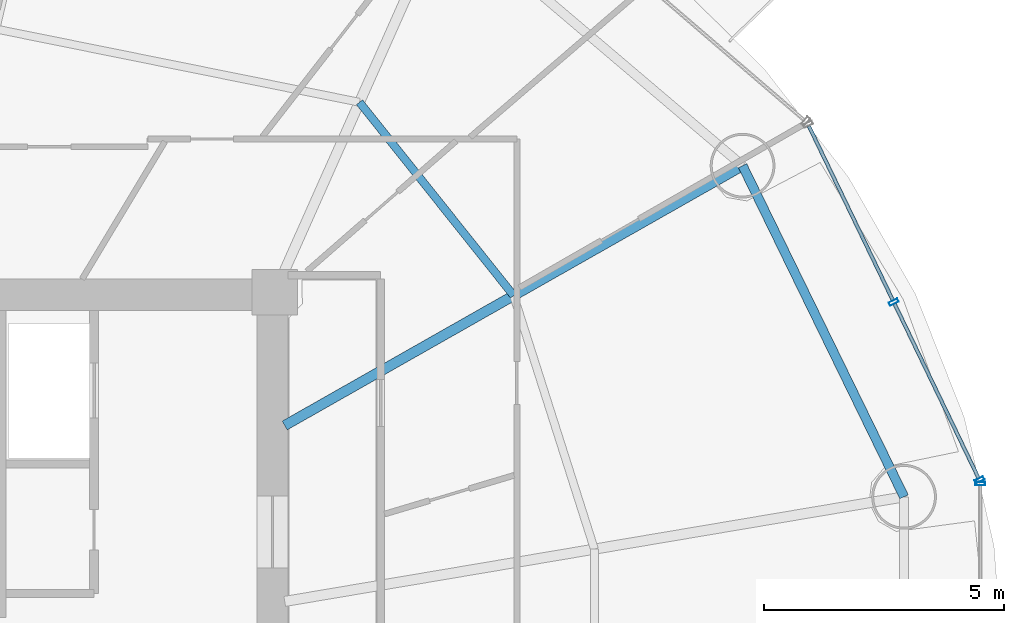
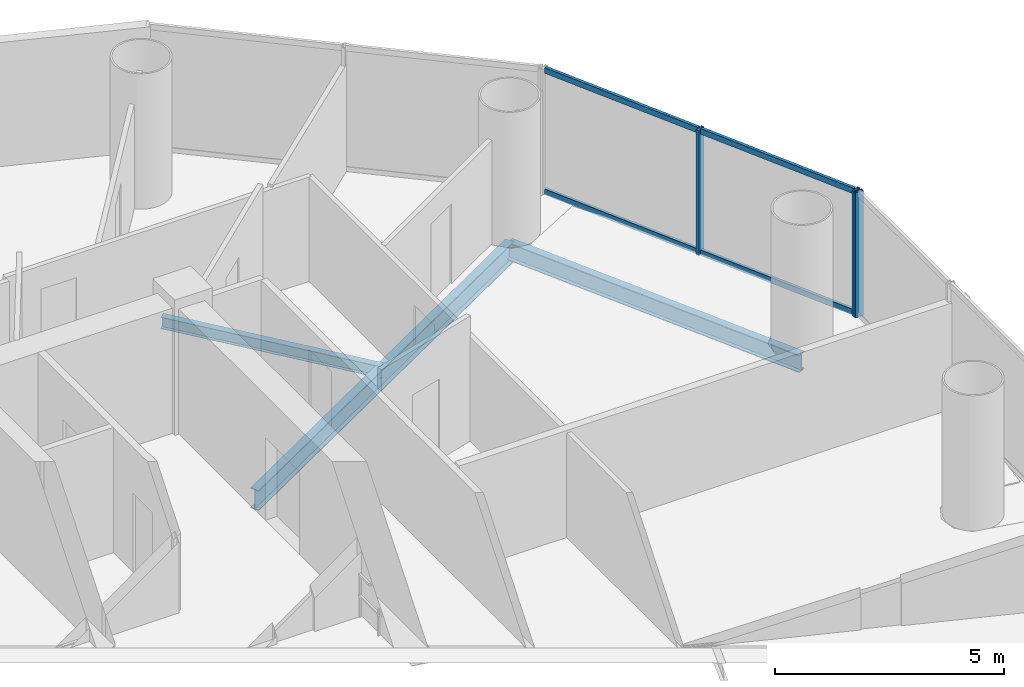
# One storey, part 13 of 27: 7 members, 3 beams, 2 elements without a shape of their own.
"""IFC4 building model written with IfcOpenShell, lengths in metres."""

import ifcopenshell
import ifcopenshell.guid

model = None  # the IFC model being written
_history = None  # IfcOwnerHistory: only IFC2X3 demands one
_inside = {}  # id of a spatial element -> (the spatial element, [elements in it])
_under = {}  # id of a project, library or spatial element -> (it, [spatial elements below it])
_declared = {}  # id of a project -> (the project, [libraries it declares])
_typed = {}  # id of a type object -> (the type object, [elements of that type])
_made_of = {}  # id of a material, layer set ... -> (it, [elements and type objects made of it])


def new_model(schema):
    """Start an empty IFC model of exactly this schema.

    Asked for "IFC4X3", IfcOpenShell would pick the latest addendum, in which some entities
    have other attributes; the version numbers below select the first issue.
    IFC2X3 requires an IfcOwnerHistory on every rooted entity: one is made here for all.
    """
    global model, _history
    if schema == "IFC4X3":
        model = ifcopenshell.file(schema_version=(4, 3, 0, 0))
    else:
        model = ifcopenshell.file(schema=schema)
    _inside.clear()
    _under.clear()
    _declared.clear()
    _typed.clear()
    _made_of.clear()
    _history = None
    if model.schema == "IFC2X3":
        org = make("IfcOrganization", Name="unknown")
        user = make(
            "IfcPersonAndOrganization",
            ThePerson=make("IfcPerson", FamilyName="unknown"),
            TheOrganization=org,
        )
        app = make(
            "IfcApplication",
            ApplicationDeveloper=org,
            Version="unknown",
            ApplicationFullName="unknown",
            ApplicationIdentifier="unknown",
        )
        _history = make(
            "IfcOwnerHistory",
            OwningUser=user,
            OwningApplication=app,
            ChangeAction="ADDED",
            CreationDate=0,
        )
    return model


def make(cls, **values):
    """One entity of the class cls with the attributes given. An attribute that is None is left unset."""
    return model.create_entity(
        cls, **{name: value for name, value in values.items() if value is not None}
    )


def rooted(cls, **values):
    """An entity with a GlobalId (a new one), such as an element, a storey or a relation."""
    return make(cls, GlobalId=ifcopenshell.guid.new(), OwnerHistory=_history, **values)


def si_unit(unit_type, name, prefix=None):
    """IfcSIUnit, for example si_unit("LENGTHUNIT", "METRE", prefix="MILLI")."""
    return make("IfcSIUnit", UnitType=unit_type, Prefix=prefix, Name=name)


def assignment(units):
    """IfcUnitAssignment: the units of a project."""
    return None if units is None else make("IfcUnitAssignment", Units=units)


def point(xyz):
    """IfcCartesianPoint."""
    return None if xyz is None else make("IfcCartesianPoint", Coordinates=xyz)


def direction(xyz):
    """IfcDirection."""
    return None if xyz is None else make("IfcDirection", DirectionRatios=xyz)


def frame(location, z_axis=None, x_axis=None):
    """IfcAxis2Placement3D, a coordinate frame: its origin and axes. An axis left out is left unset."""
    return make(
        "IfcAxis2Placement3D",
        Location=point(location),
        Axis=direction(z_axis),
        RefDirection=direction(x_axis),
    )


def frame_2d(location, x_axis=None):
    """IfcAxis2Placement2D, a coordinate frame in the plane: its origin and x axis."""
    return make(
        "IfcAxis2Placement2D", Location=point(location), RefDirection=direction(x_axis)
    )


def origin():
    """The frame at (0, 0, 0) with its axes left unset."""
    return frame((0.0, 0.0, 0.0))


def origin_2d():
    """The frame at (0, 0) in the plane with its x axis left unset."""
    return frame_2d((0.0, 0.0))


def place(relative_to, where):
    """IfcLocalPlacement: puts the frame where relative to a parent placement (None: the world)."""
    return make(
        "IfcLocalPlacement", PlacementRelTo=relative_to, RelativePlacement=where
    )


def context(
    kind, dimensions, precision=None, world=None, true_north=None, identifier=None
):
    """IfcGeometricRepresentationContext, for example the 3D "Model" context."""
    return make(
        "IfcGeometricRepresentationContext",
        ContextIdentifier=identifier,
        ContextType=kind,
        CoordinateSpaceDimension=dimensions,
        Precision=precision,
        WorldCoordinateSystem=world,
        TrueNorth=true_north,
    )


def subcontext(parent, identifier, kind, view, scale=None):
    """IfcGeometricRepresentationSubContext, for example "Body" below "Model"."""
    return make(
        "IfcGeometricRepresentationSubContext",
        ContextIdentifier=identifier,
        ContextType=kind,
        ParentContext=parent,
        TargetScale=scale,
        TargetView=view,
    )


def project(units=None, contexts=None):
    """IfcProject with its units and contexts."""
    return rooted(
        "IfcProject",
        Name="project",
        RepresentationContexts=contexts,
        UnitsInContext=assignment(units),
    )


def spatial(cls, under=None, at=None, **own):
    """A site, building, storey or space (cls), placed at a placement, below another one or the project."""
    s = rooted(cls, ObjectPlacement=at, **own)
    if under is not None:
        _under.setdefault(under.id(), (under, []))[1].append(s)
    return s


def profile(cls, at=None, kind="AREA", **sizes):
    """A parametric profile (cls). Its sizes go by their IFC names, for example OverallWidth=200.0."""
    return make(cls, ProfileType=kind, Position=at, **sizes)


def hollow_rectangle(**sizes):
    """IfcRectangleHollowProfileDef."""
    return profile("IfcRectangleHollowProfileDef", **sizes)


def i_section(**sizes):
    """IfcIShapeProfileDef."""
    return profile("IfcIShapeProfileDef", **sizes)


def extrude(swept, where, along, depth):
    """IfcExtrudedAreaSolid: the profile swept, set in the frame where, extruded along a direction by depth."""
    return make(
        "IfcExtrudedAreaSolid",
        SweptArea=swept,
        Position=where,
        ExtrudedDirection=direction(along),
        Depth=depth,
    )


def shape(context_of_items, identifier, shape_type, items):
    """IfcShapeRepresentation: the items that make up one representation, for example the "Body"."""
    return make(
        "IfcShapeRepresentation",
        ContextOfItems=context_of_items,
        RepresentationIdentifier=identifier,
        RepresentationType=shape_type,
        Items=items,
    )


def source(mapping_origin, context_of_items, identifier, shape_type, items):
    """IfcRepresentationMap: a shape defined once, which mapped items show again and again."""
    return make(
        "IfcRepresentationMap",
        MappingOrigin=mapping_origin,
        MappedRepresentation=shape(context_of_items, identifier, shape_type, items),
    )


def transform(
    local_origin,
    x_axis=None,
    y_axis=None,
    z_axis=None,
    scale=None,
    scale2=None,
    scale3=None,
    uniform=True,
):
    """IfcCartesianTransformationOperator3D, or its non-uniform kind. x_axis, y_axis, z_axis: its Axis1, 2, 3."""
    if uniform:
        return make(
            "IfcCartesianTransformationOperator3D",
            Axis1=direction(x_axis),
            Axis2=direction(y_axis),
            LocalOrigin=point(local_origin),
            Scale=scale,
            Axis3=direction(z_axis),
        )
    return make(
        "IfcCartesianTransformationOperator3DnonUniform",
        Axis1=direction(x_axis),
        Axis2=direction(y_axis),
        LocalOrigin=point(local_origin),
        Scale=scale,
        Axis3=direction(z_axis),
        Scale2=scale2,
        Scale3=scale3,
    )


def mapped(mapping_source, mapping_target):
    """IfcMappedItem: shows the shape of a source again, moved by a transform."""
    return make(
        "IfcMappedItem", MappingSource=mapping_source, MappingTarget=mapping_target
    )


def material(Name=None, Category=None):
    """IfcMaterial."""
    return make("IfcMaterial", Name=Name, Category=Category)


def material_profile(
    of_material, cross_section, Name=None, Category=None, Priority=None
):
    """IfcMaterialProfile: a cross section and its material."""
    return make(
        "IfcMaterialProfile",
        Name=Name,
        Material=of_material,
        Profile=cross_section,
        Priority=Priority,
        Category=Category,
    )


def profile_set(profiles, Name=None, composite=None):
    """IfcMaterialProfileSet."""
    return make(
        "IfcMaterialProfileSet",
        Name=Name,
        MaterialProfiles=profiles,
        CompositeProfile=composite,
    )


def made_of(thing, what):
    """Note that an element or type object is made of a material, layer set ...; save() writes the relation."""
    if what is not None:
        _made_of.setdefault(what.id(), (what, []))[1].append(thing)
    return thing


def type_object(cls, material=None, **own):
    """A type object (cls), such as IfcWallType, which elements share."""
    return made_of(rooted(cls, **own), material)


def element(
    cls,
    number,
    at=None,
    inside=None,
    cuts=None,
    type_object=None,
    material=None,
    context=None,
    identifier="Body",
    shape_type=None,
    held_by="IfcProductDefinitionShape",
    body=None,
    shapes=None,
    **own,
):
    """One element of the class cls, such as IfcWall. Its Tag is "e" and its number.

    at: its placement. inside: the storey or other place that contains it. cuts: it is an
    opening in that element (IfcRelVoidsElement). A single representation is given by context,
    identifier, shape_type and body (its items); several are given by shapes. held_by: the class
    of the entity that holds the representations. save() writes the other relations.
    """
    e = rooted(cls, Tag="e%d" % number, ObjectPlacement=at, **own)
    if body is not None:
        shapes = [shape(context, identifier, shape_type, body)]
    if shapes is not None:
        e.Representation = make(held_by, Representations=shapes)
    if inside is not None:
        _inside.setdefault(inside.id(), (inside, []))[1].append(e)
    if cuts is not None:
        rooted(
            "IfcRelVoidsElement", RelatingBuildingElement=cuts, RelatedOpeningElement=e
        )
    if type_object is not None:
        _typed.setdefault(type_object.id(), (type_object, []))[1].append(e)
    return made_of(e, material)


def aggregate(whole, parts):
    """IfcRelAggregates: a whole, such as a stair, and the parts it consists of."""
    return rooted("IfcRelAggregates", RelatingObject=whole, RelatedObjects=parts)


def save(model, path):
    """Write the relations noted so far, then the file.

    IfcRelAggregates (storeys below a building ...), IfcRelContainedInSpatialStructure (elements
    in a storey), IfcRelDefinesByType, IfcRelAssociatesMaterial and IfcRelDeclares: one each for
    every whole, place, type object, material and project.
    """
    for whole, parts in _under.values():
        aggregate(whole, parts)
    for where, things in _inside.values():
        rooted(
            "IfcRelContainedInSpatialStructure",
            RelatedElements=things,
            RelatingStructure=where,
        )
    for kind, things in _typed.values():
        rooted("IfcRelDefinesByType", RelatedObjects=things, RelatingType=kind)
    for what, things in _made_of.values():
        rooted("IfcRelAssociatesMaterial", RelatedObjects=things, RelatingMaterial=what)
    for by, libraries in _declared.values():
        rooted("IfcRelDeclares", RelatingContext=by, RelatedDefinitions=libraries)
    model.write(path)


model = new_model("IFC4")

# Units and contexts
model_context = context("Model", 3, precision=1e-05, world=origin(), true_north=direction((-0.2419218956, 0.970295726276)))
body_context = subcontext(model_context, "Body", "Model", "MODEL_VIEW")
ifc_project = project(units=[si_unit("LENGTHUNIT", "METRE"), si_unit("AREAUNIT", "SQUARE_METRE"), si_unit("VOLUMEUNIT", "CUBIC_METRE"), si_unit("PLANEANGLEUNIT", "RADIAN"), si_unit("MASSUNIT", "GRAM", prefix="KILO")], contexts=[model_context])

# Site, building, storey
site_placement = place(None, origin())
site = spatial("IfcSite", under=ifc_project, at=site_placement, CompositionType="ELEMENT")
building_placement = place(site_placement, origin())
building = spatial("IfcBuilding", under=site, at=building_placement, Name="Cobrevalo Terracotta Tower", CompositionType="ELEMENT")
storey_placement = place(building_placement, frame((0.0, 0.0, 160.60009765625)))
storey = spatial("IfcBuildingStorey", under=building, at=storey_placement, Name="L42", CompositionType="ELEMENT", Elevation=160.60009765625)

# Beams
ifc_material_1 = material(Name="Steel S355", Category="steel")
ifc_material_profile_1 = material_profile(ifc_material_1, i_section(OverallWidth=0.2109375, OverallDepth=0.5390625, WebThickness=0.01171875, FlangeThickness=0.018798828125, at=origin_2d()), Name="W 530x109")
ifc_profile_set_1 = profile_set([ifc_material_profile_1], Name="Steel S355")
beam_type_1 = type_object("IfcBeamType", Name="Structural Beam W 530x109 (Steel S355)", PredefinedType="BEAM", material=ifc_profile_set_1)
beam_1_placement = place(storey_placement, frame((56.749755859375, 37.439208984375, -0.53955078125), z_axis=(-0.869734177783, -0.493520475762, 0.0), x_axis=(0.493520475762, -0.869734177783, 0.0)))
element("IfcBeam", 1, at=beam_1_placement, inside=storey, type_object=beam_type_1, Name="L42 radial floor girder 02", PredefinedType="BEAM", context=body_context, shape_type="SweptSolid", body=[
    extrude(i_section(OverallWidth=0.2109375, OverallDepth=0.5390625, WebThickness=0.01171875, FlangeThickness=0.018798828125, at=origin_2d()), origin(), (0.0, 0.0, 1.0), 10.974365234375),
])
ifc_material_profile_2 = material_profile(ifc_material_1, i_section(OverallWidth=0.1650390625, OverallDepth=0.31005859375, WebThickness=0.005859375, FlangeThickness=0.009765625, at=origin_2d()), Name="W 310x38.7")
ifc_profile_set_2 = profile_set([ifc_material_profile_2], Name="Steel S355")
beam_type_2 = type_object("IfcBeamType", Name="Structural Joist W 310x38.7 (Steel S355)", PredefinedType="JOIST", material=ifc_profile_set_2)
beam_2_placement = place(storey_placement, frame((51.977294921875, 34.731201171875, -0.425048828125), z_axis=(-0.62340602772, 0.781898282773, 0.0), x_axis=(-0.781898282773, -0.62340602772, 0.0)))
element("IfcBeam", 2, at=beam_2_placement, inside=storey, type_object=beam_type_2, Name="L42 circumferential secondary floor joist 02", PredefinedType="JOIST", context=body_context, shape_type="SweptSolid", body=[
    extrude(i_section(OverallWidth=0.1650390625, OverallDepth=0.31005859375, WebThickness=0.005859375, FlangeThickness=0.009765625, at=origin_2d()), origin(), (0.0, 0.0, 1.0), 5.154052734375),
])
ifc_material_profile_3 = material_profile(ifc_material_1, i_section(OverallWidth=0.194091796875, OverallDepth=0.468994140625, WebThickness=0.011474609375, FlangeThickness=0.0205078125, at=origin_2d()), Name="W 460x106")
ifc_profile_set_3 = profile_set([ifc_material_profile_3], Name="Steel S355")
beam_type_3 = type_object("IfcBeamType", Name="Structural Spandrel W 460x106 (Steel S355)", PredefinedType="SPANDREL", material=ifc_profile_set_3)
beam_3_placement = place(storey_placement, frame((60.11669921875, 30.535888671875, -0.504638671875), z_axis=(-0.438367894028, 0.89879563277, 0.0), x_axis=(-0.89879563277, -0.438367894028, 0.0)))
element("IfcBeam", 3, at=beam_3_placement, inside=storey, type_object=beam_type_3, Name="L42 perimeter ring spandrel 01", PredefinedType="SPANDREL", context=body_context, shape_type="SweptSolid", body=[
    extrude(i_section(OverallWidth=0.194091796875, OverallDepth=0.468994140625, WebThickness=0.011474609375, FlangeThickness=0.0205078125, at=origin_2d()), origin(), (0.0, 0.0, 1.0), 7.6806640625),
])

# Curtain wall, members
ifc_material_2 = material(Name="Anodized aluminium", Category="aluminium")
curtain_wall_type = type_object("IfcCurtainWallType", Name="Mid-tower high-wind unitised curtain wall CW-U2", PredefinedType="NOTDEFINED", material=ifc_material_2)
curtain_wall_1_placement = place(storey_placement, origin())
curtain_wall_1 = element("IfcCurtainWall", 4, at=curtain_wall_1_placement, inside=storey, type_object=curtain_wall_type, Name="L42 curtain wall CW-L42-S01", PredefinedType="NOTDEFINED")
ifc_material_profile_4 = material_profile(ifc_material_2, hollow_rectangle(XDim=0.074951171875, YDim=0.14990234375, WallThickness=0.00439453125, at=origin_2d()), Name="CWT 75x150")
ifc_profile_set_4 = profile_set([ifc_material_profile_4], Name="Anodized aluminium")
member_type_1 = type_object("IfcMemberType", Name="Tower unitised aluminium transom 75x150", PredefinedType="USERDEFINED", material=ifc_profile_set_4)
shared_shape_1 = source(origin(), body_context, "Body", "SweptSolid", [
    extrude(hollow_rectangle(XDim=0.074951171875, YDim=0.14990234375, WallThickness=0.00439453125, at=origin_2d()), origin(), (0.0, 0.0, 1.0), 4.035888671875),
])
member_1_placement = place(storey_placement, frame((61.6708984375, 30.924072265625, 0.0498046875), z_axis=(-0.434221176581, 0.900806288726, 0.0), x_axis=(-0.900806288726, -0.434221176581, 0.0)))
member_1 = element("IfcMember", 5, at=member_1_placement, type_object=member_type_1, Name="CW-L42-S01 transom B01-T1", ObjectType="TRANSOM", PredefinedType="USERDEFINED", context=body_context, shape_type="MappedRepresentation", body=[
    mapped(shared_shape_1, transform((0.0, 0.0, 0.0), scale=1.0)),
])
member_2_placement = place(storey_placement, frame((61.6708984375, 30.924072265625, 3.27978515625), z_axis=(-0.434221176581, 0.900806288726, 0.0), x_axis=(-0.900806288726, -0.434221176581, 0.0)))
member_2 = element("IfcMember", 6, at=member_2_placement, type_object=member_type_1, Name="CW-L42-S01 transom B01-T2", ObjectType="TRANSOM", PredefinedType="USERDEFINED", context=body_context, shape_type="MappedRepresentation", body=[
    mapped(shared_shape_1, transform((0.0, 0.0, 0.0), scale=1.0)),
])
member_3_placement = place(storey_placement, frame((59.8837890625, 34.631591796875, 0.0498046875), z_axis=(-0.434221176581, 0.900806288726, 0.0), x_axis=(-0.900806288726, -0.434221176581, 0.0)))
member_3 = element("IfcMember", 7, at=member_3_placement, type_object=member_type_1, Name="CW-L42-S01 transom B02-T1", ObjectType="TRANSOM", PredefinedType="USERDEFINED", context=body_context, shape_type="MappedRepresentation", body=[
    mapped(shared_shape_1, transform((0.0, 0.0, 0.0), scale=1.0)),
])
member_4_placement = place(storey_placement, frame((59.8837890625, 34.631591796875, 3.27978515625), z_axis=(-0.434221176581, 0.900806288726, 0.0), x_axis=(-0.900806288726, -0.434221176581, 0.0)))
member_4 = element("IfcMember", 8, at=member_4_placement, type_object=member_type_1, Name="CW-L42-S01 transom B02-T2", ObjectType="TRANSOM", PredefinedType="USERDEFINED", context=body_context, shape_type="MappedRepresentation", body=[
    mapped(shared_shape_1, transform((0.0, 0.0, 0.0), scale=1.0)),
])
ifc_material_profile_5 = material_profile(ifc_material_2, hollow_rectangle(XDim=0.074951171875, YDim=0.199951171875, WallThickness=0.0048828125, at=origin_2d()), Name="CWM 75x200")
ifc_profile_set_5 = profile_set([ifc_material_profile_5], Name="Anodized aluminium")
member_type_2 = type_object("IfcMemberType", Name="Lower/mid tower unitised mullion 75x200", PredefinedType="MULLION", material=ifc_profile_set_5)
shared_shape_2 = source(origin(), body_context, "Body", "SweptSolid", [
    extrude(hollow_rectangle(XDim=0.074951171875, YDim=0.199951171875, WallThickness=0.0048828125, at=origin_2d()), origin(), (0.0, 0.0, 1.0), 3.329833984375),
])
member_5_placement = place(storey_placement, frame((61.688232421875, 30.887939453125, 0.0), z_axis=(0.0, 0.0, 1.0), x_axis=(-0.434209440271, 0.900811945957, 0.0)))
member_5 = element("IfcMember", 9, at=member_5_placement, type_object=member_type_2, Name="CW-L42-S01 vertical mullion 01", PredefinedType="MULLION", context=body_context, shape_type="MappedRepresentation", body=[
    mapped(shared_shape_2, transform((0.0, 0.0, 0.0), scale=1.0)),
])
member_6_placement = place(storey_placement, frame((59.901123046875, 34.595703125, 0.0), z_axis=(0.0, 0.0, 1.0), x_axis=(-0.434209440271, 0.900811945957, 0.0)))
member_6 = element("IfcMember", 10, at=member_6_placement, type_object=member_type_2, Name="CW-L42-S01 vertical mullion 02", PredefinedType="MULLION", context=body_context, shape_type="MappedRepresentation", body=[
    mapped(shared_shape_2, transform((0.0, 0.0, 0.0), scale=1.0)),
])
aggregate(curtain_wall_1, [member_5, member_6, member_1, member_2, member_3, member_4])

# Curtain wall, member
curtain_wall_2_placement = place(storey_placement, origin())
curtain_wall_2 = element("IfcCurtainWall", 11, at=curtain_wall_2_placement, inside=storey, type_object=curtain_wall_type, Name="L42 curtain wall CW-L42-S16", PredefinedType="NOTDEFINED")
member_7_placement = place(storey_placement, frame((61.70556640625, 30.81201171875, 0.0), z_axis=(0.0, 0.0, 1.0), x_axis=(0.0, 1.0, 0.0)))
member_7 = element("IfcMember", 12, at=member_7_placement, type_object=member_type_2, Name="CW-L42-S16 vertical mullion 03", PredefinedType="MULLION", context=body_context, shape_type="MappedRepresentation", body=[
    mapped(shared_shape_2, transform((0.0, 0.0, 0.0), scale=1.0)),
])
aggregate(curtain_wall_2, [member_7])

save(model, "model.ifc")
